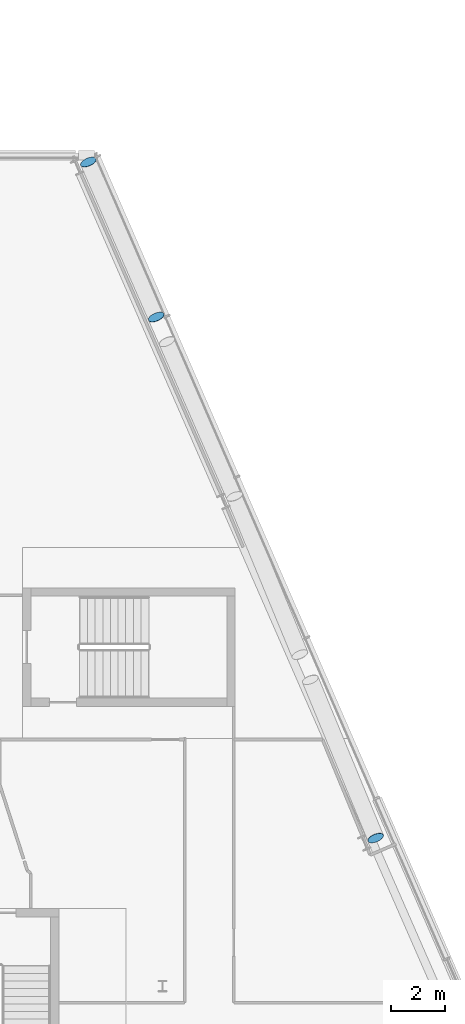
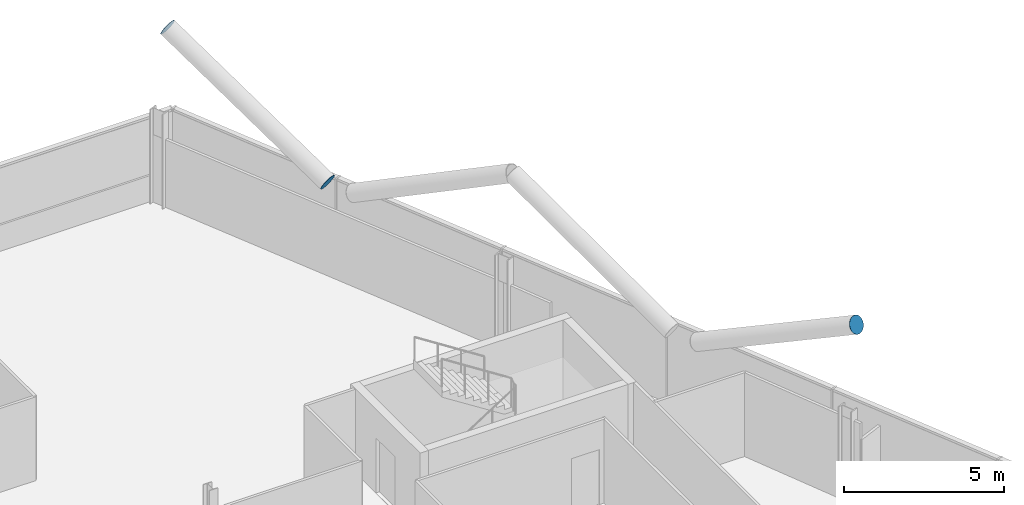
# One storey, part 24 of 27: 3 discrete accessories.
"""IFC4 building model written with IfcOpenShell, lengths in metres."""

from ifc_helpers import new_model, si_unit, direction, frame, origin, origin_2d, place, context, subcontext, project, spatial, circle, extrude, material, material_profile, profile_set, type_object, element, save


model = new_model("IFC4")

# Units and contexts
model_context = context("Model", 3, precision=1e-05, world=origin(), true_north=direction((0.0, 1.0)))
body_context = subcontext(model_context, "Body", "Model", "MODEL_VIEW")
ifc_project = project(units=[si_unit("LENGTHUNIT", "METRE"), si_unit("AREAUNIT", "SQUARE_METRE"), si_unit("VOLUMEUNIT", "CUBIC_METRE"), si_unit("PLANEANGLEUNIT", "RADIAN"), si_unit("MASSUNIT", "GRAM", prefix="KILO")], contexts=[model_context])

# Site, building, storey
site_placement = place(None, origin())
site = spatial("IfcSite", under=ifc_project, at=site_placement, CompositionType="ELEMENT")
building_placement = place(site_placement, origin())
building = spatial("IfcBuilding", under=site, at=building_placement, Name="Wharfspan Tower", CompositionType="ELEMENT")
storey_placement = place(building_placement, frame((0.0, 0.0, 243.100098)))
storey = spatial("IfcBuildingStorey", under=building, at=storey_placement, Name="L61", CompositionType="ELEMENT", Elevation=243.100098)

# Discrete accessories
ifc_material = material(Name="Steel S460NH", Category="steel")
ifc_material_profile = material_profile(ifc_material, circle(Radius=0.304932, at=origin_2d()))
ifc_profile_set = profile_set([ifc_material_profile], Name="Steel S460NH")
discrete_accessory_type = type_object("IfcDiscreteAccessoryType", Name="End plate CHS 610x25", PredefinedType="BRACKET", material=ifc_profile_set)
for number, where, z_axis, x_axis, name in (
    (1, (79.826904, 16.943115, 6.5), (0.338259, -0.821486, 0.459066), (0.924676, 0.380749, 0.0), "End plate CHS 610x25"),
    (2, (71.773193, 36.061523, 3.161865), (-0.345075, 0.81339, 0.468316), (-0.920586, -0.390551, -2e-06), "End plate CHS 610x25"),
    (3, (69.284424, 41.753662, 6.5), (-0.345075, 0.81339, 0.468316), (-0.920586, -0.390551, -2e-06), "End plate CHS 610x25"),
):
    element("IfcDiscreteAccessory", number, at=place(storey_placement, frame(where, z_axis=z_axis, x_axis=x_axis)), inside=storey, type_object=discrete_accessory_type, Name=name, PredefinedType="BRACKET", context=body_context, shape_type="SweptSolid", body=[
        extrude(circle(Radius=0.304932, at=origin_2d()), origin(), (0.0, 0.0, 1.0), 0.01001),
    ])

save(model, "model.ifc")
